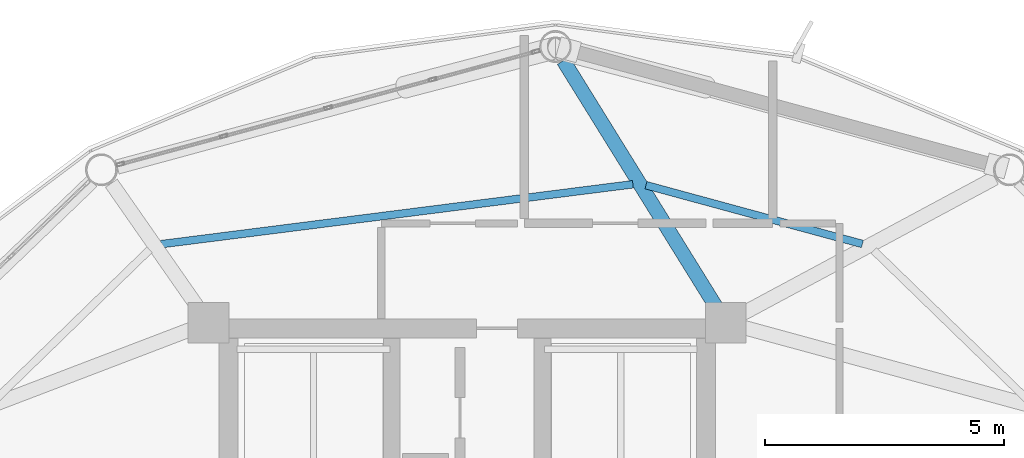
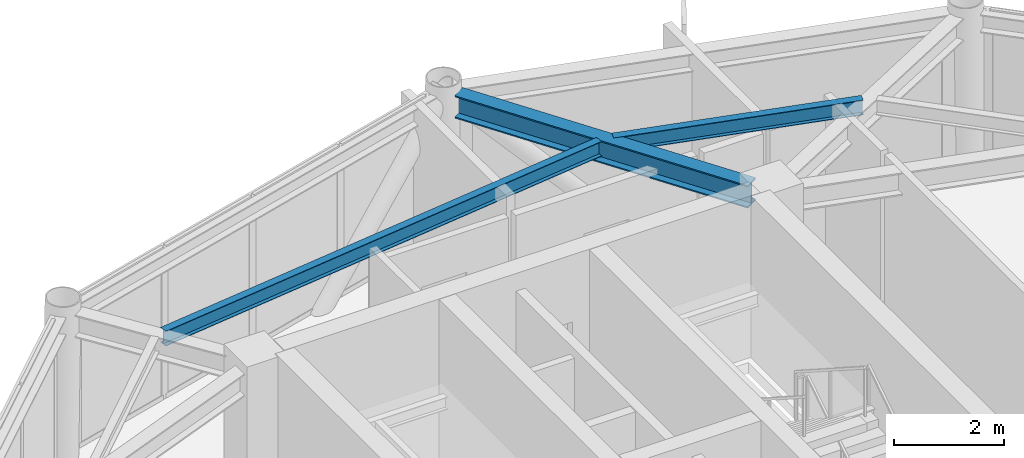
# One storey, part 19 of 28: 3 beams.
"""IFC4 building model written with IfcOpenShell, lengths in metres."""

from ifc_helpers import new_model, si_unit, direction, frame, origin, origin_2d, place, context, subcontext, project, spatial, i_section, extrude, material, material_profile, profile_set, type_object, element, save


model = new_model("IFC4")

# Units and contexts
model_context = context("Model", 3, precision=1e-05, world=origin(), true_north=direction((0.0, 1.0)))
body_context = subcontext(model_context, "Body", "Model", "MODEL_VIEW")
ifc_project = project(units=[si_unit("LENGTHUNIT", "METRE"), si_unit("AREAUNIT", "SQUARE_METRE"), si_unit("VOLUMEUNIT", "CUBIC_METRE"), si_unit("PLANEANGLEUNIT", "RADIAN"), si_unit("MASSUNIT", "GRAM", prefix="KILO")], contexts=[model_context])

# Site, building, storey
site_placement = place(None, origin())
site = spatial("IfcSite", under=ifc_project, at=site_placement, CompositionType="ELEMENT")
building_placement = place(site_placement, origin())
building = spatial("IfcBuilding", under=site, at=building_placement, Name="Varnakorn Sky Granary", CompositionType="ELEMENT")
storey_placement = place(building_placement, frame((0.0, 0.0, 211.199951171875)))
storey = spatial("IfcBuildingStorey", under=building, at=storey_placement, Name="L53", CompositionType="ELEMENT", Elevation=211.199951171875)

# Beams
ifc_material = material(Name="Steel S355JR", Category="steel")
ifc_material_profile_1 = material_profile(ifc_material, i_section(OverallWidth=0.300048828125, OverallDepth=0.5, WebThickness=0.014404296875, FlangeThickness=0.028076171875, at=origin_2d()), Name="HE 500 B")
ifc_profile_set_1 = profile_set([ifc_material_profile_1], Name="Steel S355JR")
beam_type_1 = type_object("IfcBeamType", Name="BM-RAD-Z4", PredefinedType="BEAM", material=ifc_profile_set_1)
beam_1_placement = place(storey_placement, frame((8.20654296875, 12.964111328125, 3.110107421875), z_axis=(-0.526983361727, 0.849875600581, 0.0), x_axis=(-0.849875600581, -0.526983361727, 0.0)))
element("IfcBeam", 1, at=beam_1_placement, inside=storey, type_object=beam_type_1, Name="Radial Floor Girder RG04 L53", PredefinedType="BEAM", context=body_context, shape_type="SweptSolid", body=[
    extrude(i_section(OverallWidth=0.300048828125, OverallDepth=0.5, WebThickness=0.014404296875, FlangeThickness=0.028076171875, at=origin_2d()), origin(), (0.0, 0.0, 1.0), 6.05419921875),
])
ifc_material_profile_2 = material_profile(ifc_material, i_section(OverallWidth=0.159912109375, OverallDepth=0.330078125, WebThickness=0.007568359375, FlangeThickness=0.011474609375, at=origin_2d()), Name="IPE 330")
ifc_profile_set_2 = profile_set([ifc_material_profile_2], Name="Steel S355JR")
beam_type_2 = type_object("IfcBeamType", Name="BM-SEC-Z4", PredefinedType="BEAM", material=ifc_profile_set_2)
beam_2_placement = place(storey_placement, frame((11.281982421875, 14.26708984375, 3.195068359375), z_axis=(-0.96498403729, 0.262308611708, 0.0), x_axis=(-0.262308611708, -0.96498403729, 0.0)))
element("IfcBeam", 2, at=beam_2_placement, inside=storey, type_object=beam_type_2, Name="Secondary Floor Chord Beam MSB03 L53", PredefinedType="BEAM", context=body_context, shape_type="SweptSolid", body=[
    extrude(i_section(OverallWidth=0.159912109375, OverallDepth=0.330078125, WebThickness=0.007568359375, FlangeThickness=0.011474609375, at=origin_2d()), origin(), (0.0, 0.0, 1.0), 4.7001953125),
])
beam_3_placement = place(storey_placement, frame((6.472412109375, 15.51904296875, 3.195068359375), z_axis=(-0.992034798238, -0.125964118247, 0.0), x_axis=(0.125964118247, -0.992034798238, 0.0)))
element("IfcBeam", 3, at=beam_3_placement, inside=storey, type_object=beam_type_2, Name="Secondary Floor Chord Beam MSB04 L53", PredefinedType="BEAM", context=body_context, shape_type="SweptSolid", body=[
    extrude(i_section(OverallWidth=0.159912109375, OverallDepth=0.330078125, WebThickness=0.007568359375, FlangeThickness=0.011474609375, at=origin_2d()), origin(), (0.0, 0.0, 1.0), 9.966064453125),
])

save(model, "model.ifc")
